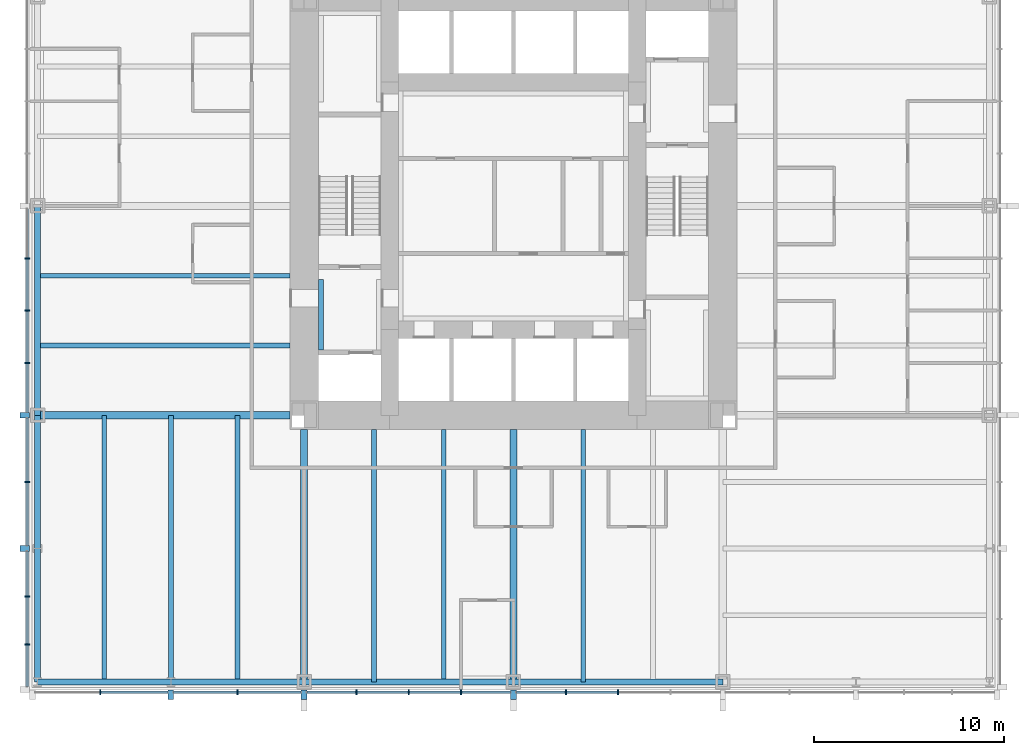
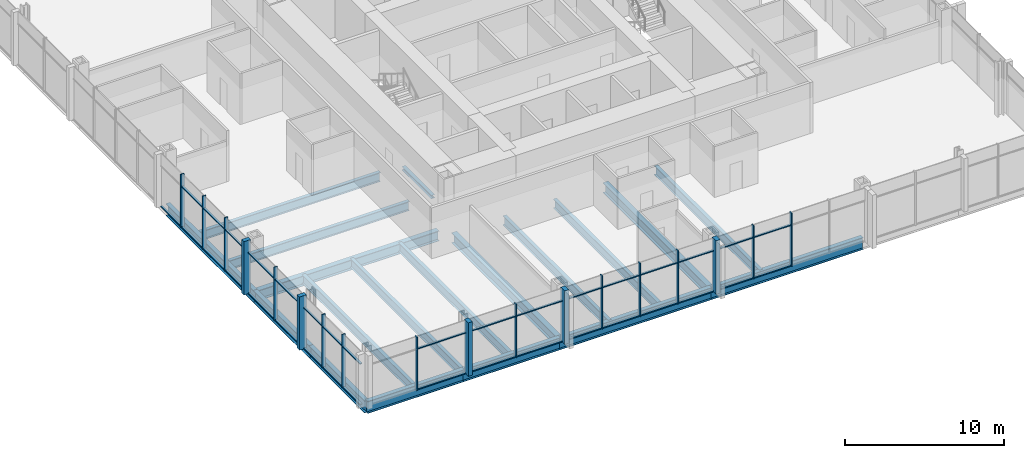
# One storey, part 2 of 12: 53 members, 19 beams, 2 elements without a shape of their own.
"""IFC4 building model written with IfcOpenShell, lengths in metres."""

from ifc_helpers import new_model, si_unit, direction, frame, origin, origin_2d, place, context, subcontext, project, spatial, rectangle, i_section, extrude, material, material_profile, profile_set, type_object, element, aggregate, save


model = new_model("IFC4")

# Units and contexts
model_context = context("Model", 3, precision=1e-05, world=origin(), true_north=direction((0.0, 1.0)))
body_context = subcontext(model_context, "Body", "Model", "MODEL_VIEW")
ifc_project = project(units=[si_unit("LENGTHUNIT", "METRE"), si_unit("AREAUNIT", "SQUARE_METRE"), si_unit("VOLUMEUNIT", "CUBIC_METRE"), si_unit("PLANEANGLEUNIT", "RADIAN"), si_unit("MASSUNIT", "GRAM", prefix="KILO")], contexts=[model_context])

# Site, building, storey
site_placement = place(None, origin())
site = spatial("IfcSite", under=ifc_project, at=site_placement, CompositionType="ELEMENT")
building_placement = place(site_placement, origin())
building = spatial("IfcBuilding", under=site, at=building_placement, Name="Trevanion Tower", CompositionType="ELEMENT")
storey_placement = place(building_placement, frame((0.0, 0.0, 40.60009765625)))
storey = spatial("IfcBuildingStorey", under=building, at=storey_placement, Name="L09", CompositionType="ELEMENT", Elevation=40.60009765625)

# Beams
ifc_material_1 = material(Name="Steel ASTM A992 Grade 50", Category="steel")
ifc_material_profile_1 = material_profile(ifc_material_1, i_section(OverallWidth=0.25390625, OverallDepth=0.700927734375, WebThickness=0.015380859375, FlangeThickness=0.02783203125, at=origin_2d()), Name="W27X129")
ifc_profile_set_1 = profile_set([ifc_material_profile_1], Name="Steel ASTM A992 Grade 50")
beam_type_1 = type_object("IfcBeamType", Name="B3 W27X129", PredefinedType="BEAM", material=ifc_profile_set_1)
for number, where, z_axis, x_axis, name in (
    (1, (-11.75, -3.666748046875, -0.54052734375), (-1.0, 0.0, 0.0), (0.0, -1.0, 0.0), "B3 L09"),
    (2, (-11.75, -7.333251953125, -0.54052734375), (-1.0, 0.0, 0.0), (0.0, -1.0, 0.0), "B3 L09"),
    (3, (-7.333251953125, -11.75, -0.54052734375), (0.0, -1.0, 0.0), (1.0, 0.0, 0.0), "B3 L09"),
    (4, (-3.666748046875, -11.75, -0.54052734375), (0.0, -1.0, 0.0), (1.0, 0.0, 0.0), "B3 L09"),
    (5, (3.666748046875, -11.75, -0.54052734375), (0.0, -1.0, 0.0), (1.0, 0.0, 0.0), "B3 L09"),
):
    element("IfcBeam", number, at=place(storey_placement, frame(where, z_axis=z_axis, x_axis=x_axis)), inside=storey, type_object=beam_type_1, Name=name, PredefinedType="BEAM", context=body_context, shape_type="SweptSolid", body=[
        extrude(i_section(OverallWidth=0.25390625, OverallDepth=0.700927734375, WebThickness=0.015380859375, FlangeThickness=0.02783203125, at=origin_2d()), origin(), (0.0, 0.0, 1.0), 13.25),
    ])
ifc_material_2 = material(Name="Steel ASTM A992 Grade 50", Category="steel")
ifc_material_profile_2 = material_profile(ifc_material_2, i_section(OverallWidth=0.256591796875, OverallDepth=0.693359375, WebThickness=0.014404296875, FlangeThickness=0.023681640625, at=origin_2d()), Name="W27X114")
ifc_profile_set_2 = profile_set([ifc_material_profile_2], Name="Steel ASTM A992 Grade 50")
beam_type_2 = type_object("IfcBeamType", Name="B4 W27X114", PredefinedType="BEAM", material=ifc_profile_set_2)
for number, where, z_axis, x_axis, name in (
    (6, (-14.5, -11.0, -0.536865234375), (0.0, -1.0, 0.0), (1.0, 0.0, 0.0), "B4 L09"),
    (7, (-18.0, -11.0, -0.536865234375), (0.0, -1.0, 0.0), (1.0, 0.0, 0.0), "B4 L09"),
    (8, (-21.5, -11.0, -0.536865234375), (0.0, -1.0, 0.0), (1.0, 0.0, 0.0), "B4 L09"),
):
    element("IfcBeam", number, at=place(storey_placement, frame(where, z_axis=z_axis, x_axis=x_axis)), inside=storey, type_object=beam_type_2, Name=name, PredefinedType="BEAM", context=body_context, shape_type="SweptSolid", body=[
        extrude(i_section(OverallWidth=0.256591796875, OverallDepth=0.693359375, WebThickness=0.014404296875, FlangeThickness=0.023681640625, at=origin_2d()), origin(), (0.0, 0.0, 1.0), 14.0),
    ])

# Curtain wall, members
ifc_material_3 = material(Name="Aluminium and glass", Category="aluminium")
curtain_wall_type = type_object("IfcCurtainWallType", Name="CW1 curtain wall", PredefinedType="USERDEFINED", material=ifc_material_3)
curtain_wall_1_placement = place(storey_placement, origin())
curtain_wall_1 = element("IfcCurtainWall", 9, at=curtain_wall_1_placement, inside=storey, type_object=curtain_wall_type, Name="CW1 L09 2", ObjectType="UNITISED CURTAIN WALL", PredefinedType="USERDEFINED")
ifc_material_4 = material(Name="Aluminium extrusion, anodised bronze", Category="aluminium")
ifc_material_profile_3 = material_profile(ifc_material_4, rectangle(XDim=0.074951171875, YDim=0.25, at=origin_2d()), Name="CW1 mullion")
ifc_profile_set_3 = profile_set([ifc_material_profile_3], Name="Aluminium extrusion, anodised bronze")
member_type_1 = type_object("IfcMemberType", Name="CW1 mullion", PredefinedType="MULLION", material=ifc_profile_set_3)
member_1_placement = place(storey_placement, frame((-25.550048828125, -2.75, -0.190185546875), z_axis=(0.0, 0.0, 1.0), x_axis=(0.0, -1.0, 0.0)))
member_1 = element("IfcMember", 10, at=member_1_placement, type_object=member_type_1, Name="CW1 mullion 10", PredefinedType="MULLION", context=body_context, shape_type="SweptSolid", body=[
    extrude(rectangle(XDim=0.074951171875, YDim=0.25, at=origin_2d()), origin(), (0.0, 0.0, 1.0), 4.10009765625),
])
member_2_placement = place(storey_placement, frame((-25.550048828125, -5.5, -0.190185546875), z_axis=(0.0, 0.0, 1.0), x_axis=(0.0, -1.0, 0.0)))
member_2 = element("IfcMember", 11, at=member_2_placement, type_object=member_type_1, Name="CW1 mullion 11", PredefinedType="MULLION", context=body_context, shape_type="SweptSolid", body=[
    extrude(rectangle(XDim=0.074951171875, YDim=0.25, at=origin_2d()), origin(), (0.0, 0.0, 1.0), 4.10009765625),
])
member_3_placement = place(storey_placement, frame((-25.550048828125, -8.25, -0.190185546875), z_axis=(0.0, 0.0, 1.0), x_axis=(0.0, -1.0, 0.0)))
member_3 = element("IfcMember", 12, at=member_3_placement, type_object=member_type_1, Name="CW1 mullion 12", PredefinedType="MULLION", context=body_context, shape_type="SweptSolid", body=[
    extrude(rectangle(XDim=0.074951171875, YDim=0.25, at=origin_2d()), origin(), (0.0, 0.0, 1.0), 4.10009765625),
])
member_4_placement = place(storey_placement, frame((-25.550048828125, -14.5, -0.190185546875), z_axis=(0.0, 0.0, 1.0), x_axis=(0.0, -1.0, 0.0)))
member_4 = element("IfcMember", 13, at=member_4_placement, type_object=member_type_1, Name="CW1 mullion 14", PredefinedType="MULLION", context=body_context, shape_type="SweptSolid", body=[
    extrude(rectangle(XDim=0.074951171875, YDim=0.25, at=origin_2d()), origin(), (0.0, 0.0, 1.0), 4.10009765625),
])
member_5_placement = place(storey_placement, frame((-25.550048828125, -20.5166015625, -0.190185546875), z_axis=(0.0, 0.0, 1.0), x_axis=(0.0, -1.0, 0.0)))
member_5 = element("IfcMember", 14, at=member_5_placement, type_object=member_type_1, Name="CW1 mullion 16", PredefinedType="MULLION", context=body_context, shape_type="SweptSolid", body=[
    extrude(rectangle(XDim=0.074951171875, YDim=0.25, at=origin_2d()), origin(), (0.0, 0.0, 1.0), 4.10009765625),
])
member_6_placement = place(storey_placement, frame((-25.550048828125, -23.033203125, -0.190185546875), z_axis=(0.0, 0.0, 1.0), x_axis=(0.0, -1.0, 0.0)))
member_6 = element("IfcMember", 15, at=member_6_placement, type_object=member_type_1, Name="CW1 mullion 17", PredefinedType="MULLION", context=body_context, shape_type="SweptSolid", body=[
    extrude(rectangle(XDim=0.074951171875, YDim=0.25, at=origin_2d()), origin(), (0.0, 0.0, 1.0), 4.10009765625),
])

curtain_wall_2_placement = place(storey_placement, origin())
curtain_wall_2 = element("IfcCurtainWall", 16, at=curtain_wall_2_placement, inside=storey, type_object=curtain_wall_type, Name="CW1 L09 3", ObjectType="UNITISED CURTAIN WALL", PredefinedType="USERDEFINED")
member_7_placement = place(storey_placement, frame((-21.7099609375, -25.550048828125, -0.190185546875), z_axis=(0.0, 0.0, 1.0), x_axis=(1.0, 0.0, 0.0)))
member_7 = element("IfcMember", 17, at=member_7_placement, type_object=member_type_1, Name="CW1 mullion 2", PredefinedType="MULLION", context=body_context, shape_type="SweptSolid", body=[
    extrude(rectangle(XDim=0.074951171875, YDim=0.25, at=origin_2d()), origin(), (0.0, 0.0, 1.0), 4.10009765625),
])
member_8_placement = place(storey_placement, frame((-14.5, -25.550048828125, -0.190185546875), z_axis=(0.0, 0.0, 1.0), x_axis=(1.0, 0.0, 0.0)))
member_8 = element("IfcMember", 18, at=member_8_placement, type_object=member_type_1, Name="CW1 mullion 4", PredefinedType="MULLION", context=body_context, shape_type="SweptSolid", body=[
    extrude(rectangle(XDim=0.074951171875, YDim=0.25, at=origin_2d()), origin(), (0.0, 0.0, 1.0), 4.10009765625),
])
member_9_placement = place(storey_placement, frame((-8.25, -25.550048828125, -0.190185546875), z_axis=(0.0, 0.0, 1.0), x_axis=(1.0, 0.0, 0.0)))
member_9 = element("IfcMember", 19, at=member_9_placement, type_object=member_type_1, Name="CW1 mullion 6", PredefinedType="MULLION", context=body_context, shape_type="SweptSolid", body=[
    extrude(rectangle(XDim=0.074951171875, YDim=0.25, at=origin_2d()), origin(), (0.0, 0.0, 1.0), 4.10009765625),
])
member_10_placement = place(storey_placement, frame((-5.5, -25.550048828125, -0.190185546875), z_axis=(0.0, 0.0, 1.0), x_axis=(1.0, 0.0, 0.0)))
member_10 = element("IfcMember", 20, at=member_10_placement, type_object=member_type_1, Name="CW1 mullion 7", PredefinedType="MULLION", context=body_context, shape_type="SweptSolid", body=[
    extrude(rectangle(XDim=0.074951171875, YDim=0.25, at=origin_2d()), origin(), (0.0, 0.0, 1.0), 4.10009765625),
])
member_11_placement = place(storey_placement, frame((-2.75, -25.550048828125, -0.190185546875), z_axis=(0.0, 0.0, 1.0), x_axis=(1.0, 0.0, 0.0)))
member_11 = element("IfcMember", 21, at=member_11_placement, type_object=member_type_1, Name="CW1 mullion 8", PredefinedType="MULLION", context=body_context, shape_type="SweptSolid", body=[
    extrude(rectangle(XDim=0.074951171875, YDim=0.25, at=origin_2d()), origin(), (0.0, 0.0, 1.0), 4.10009765625),
])
member_12_placement = place(storey_placement, frame((2.75, -25.550048828125, -0.190185546875), z_axis=(0.0, 0.0, 1.0), x_axis=(1.0, 0.0, 0.0)))
member_12 = element("IfcMember", 22, at=member_12_placement, type_object=member_type_1, Name="CW1 mullion 10", PredefinedType="MULLION", context=body_context, shape_type="SweptSolid", body=[
    extrude(rectangle(XDim=0.074951171875, YDim=0.25, at=origin_2d()), origin(), (0.0, 0.0, 1.0), 4.10009765625),
])
member_13_placement = place(storey_placement, frame((5.5, -25.550048828125, -0.190185546875), z_axis=(0.0, 0.0, 1.0), x_axis=(1.0, 0.0, 0.0)))
member_13 = element("IfcMember", 23, at=member_13_placement, type_object=member_type_1, Name="CW1 mullion 11", PredefinedType="MULLION", context=body_context, shape_type="SweptSolid", body=[
    extrude(rectangle(XDim=0.074951171875, YDim=0.25, at=origin_2d()), origin(), (0.0, 0.0, 1.0), 4.10009765625),
])

# Member
ifc_material_5 = material(Name="Aluminium extrusion, anodised bronze", Category="aluminium")
ifc_material_profile_4 = material_profile(ifc_material_5, rectangle(XDim=0.300048828125, YDim=0.5, at=origin_2d()), Name="CW1 pier mullion")
ifc_profile_set_4 = profile_set([ifc_material_profile_4], Name="Aluminium extrusion, anodised bronze")
member_type_2 = type_object("IfcMemberType", Name="CW1 pier mullion", PredefinedType="MULLION", material=ifc_profile_set_4)
member_14_placement = place(storey_placement, frame((-25.675048828125, -11.0, -0.190185546875), z_axis=(0.0, 0.0, 1.0), x_axis=(0.0, -1.0, 0.0)))
member_14 = element("IfcMember", 24, at=member_14_placement, type_object=member_type_2, Name="CW1 pier mullion 13", PredefinedType="MULLION", context=body_context, shape_type="SweptSolid", body=[
    extrude(rectangle(XDim=0.300048828125, YDim=0.5, at=origin_2d()), origin(), (0.0, 0.0, 1.0), 4.10009765625),
])

member_15_placement = place(storey_placement, frame((-25.675048828125, -18.0, -0.190185546875), z_axis=(0.0, 0.0, 1.0), x_axis=(0.0, -1.0, 0.0)))
member_15 = element("IfcMember", 25, at=member_15_placement, type_object=member_type_2, Name="CW1 pier mullion 15", PredefinedType="MULLION", context=body_context, shape_type="SweptSolid", body=[
    extrude(rectangle(XDim=0.300048828125, YDim=0.5, at=origin_2d()), origin(), (0.0, 0.0, 1.0), 4.10009765625),
])

member_16_placement = place(storey_placement, frame((-18.0, -25.675048828125, -0.190185546875), z_axis=(0.0, 0.0, 1.0), x_axis=(1.0, 0.0, 0.0)))
member_16 = element("IfcMember", 26, at=member_16_placement, type_object=member_type_2, Name="CW1 pier mullion 3", PredefinedType="MULLION", context=body_context, shape_type="SweptSolid", body=[
    extrude(rectangle(XDim=0.300048828125, YDim=0.5, at=origin_2d()), origin(), (0.0, 0.0, 1.0), 4.10009765625),
])

member_17_placement = place(storey_placement, frame((-11.0, -25.675048828125, -0.190185546875), z_axis=(0.0, 0.0, 1.0), x_axis=(1.0, 0.0, 0.0)))
member_17 = element("IfcMember", 27, at=member_17_placement, type_object=member_type_2, Name="CW1 pier mullion 5", PredefinedType="MULLION", context=body_context, shape_type="SweptSolid", body=[
    extrude(rectangle(XDim=0.300048828125, YDim=0.5, at=origin_2d()), origin(), (0.0, 0.0, 1.0), 4.10009765625),
])

member_18_placement = place(storey_placement, frame((0.0, -25.675048828125, -0.190185546875), z_axis=(0.0, 0.0, 1.0), x_axis=(1.0, 0.0, 0.0)))
member_18 = element("IfcMember", 28, at=member_18_placement, type_object=member_type_2, Name="CW1 pier mullion 9", PredefinedType="MULLION", context=body_context, shape_type="SweptSolid", body=[
    extrude(rectangle(XDim=0.300048828125, YDim=0.5, at=origin_2d()), origin(), (0.0, 0.0, 1.0), 4.10009765625),
])

ifc_material_6 = material(Name="Aluminium extrusion, anodised bronze", Category="aluminium")
ifc_material_profile_5 = material_profile(ifc_material_6, rectangle(XDim=0.14990234375, YDim=0.074951171875, at=origin_2d()), Name="CW1 transom")
ifc_profile_set_5 = profile_set([ifc_material_profile_5], Name="Aluminium extrusion, anodised bronze")
member_type_3 = type_object("IfcMemberType", Name="CW1 transom", PredefinedType="USERDEFINED", material=ifc_profile_set_5)
member_19_placement = place(storey_placement, frame((-25.550048828125, -0.14990234375, -0.152587890625), z_axis=(0.0, -1.0, 0.0), x_axis=(1.0, 0.0, 0.0)))
member_19 = element("IfcMember", 29, at=member_19_placement, type_object=member_type_3, Name="CW1 transom 9.1", ObjectType="TRANSOM", PredefinedType="USERDEFINED", context=body_context, shape_type="SweptSolid", body=[
    extrude(rectangle(XDim=0.14990234375, YDim=0.074951171875, at=origin_2d()), origin(), (0.0, 0.0, 1.0), 2.5625),
])

member_20_placement = place(storey_placement, frame((-25.550048828125, -2.78759765625, -0.152587890625), z_axis=(0.0, -1.0, 0.0), x_axis=(1.0, 0.0, 0.0)))
member_20 = element("IfcMember", 30, at=member_20_placement, type_object=member_type_3, Name="CW1 transom 10.1", ObjectType="TRANSOM", PredefinedType="USERDEFINED", context=body_context, shape_type="SweptSolid", body=[
    extrude(rectangle(XDim=0.14990234375, YDim=0.074951171875, at=origin_2d()), origin(), (0.0, 0.0, 1.0), 2.6748046875),
])

member_21_placement = place(storey_placement, frame((-25.550048828125, -2.78759765625, 2.9599609375), z_axis=(0.0, -1.0, 0.0), x_axis=(1.0, 0.0, 0.0)))
member_21 = element("IfcMember", 31, at=member_21_placement, type_object=member_type_3, Name="CW1 transom 10.2", ObjectType="TRANSOM", PredefinedType="USERDEFINED", context=body_context, shape_type="SweptSolid", body=[
    extrude(rectangle(XDim=0.14990234375, YDim=0.074951171875, at=origin_2d()), origin(), (0.0, 0.0, 1.0), 2.6748046875),
])

member_22_placement = place(storey_placement, frame((-25.550048828125, -5.53759765625, -0.152587890625), z_axis=(0.0, -1.0, 0.0), x_axis=(1.0, 0.0, 0.0)))
member_22 = element("IfcMember", 32, at=member_22_placement, type_object=member_type_3, Name="CW1 transom 11.1", ObjectType="TRANSOM", PredefinedType="USERDEFINED", context=body_context, shape_type="SweptSolid", body=[
    extrude(rectangle(XDim=0.14990234375, YDim=0.074951171875, at=origin_2d()), origin(), (0.0, 0.0, 1.0), 2.6748046875),
])

member_23_placement = place(storey_placement, frame((-25.550048828125, -5.53759765625, 2.9599609375), z_axis=(0.0, -1.0, 0.0), x_axis=(1.0, 0.0, 0.0)))
member_23 = element("IfcMember", 33, at=member_23_placement, type_object=member_type_3, Name="CW1 transom 11.2", ObjectType="TRANSOM", PredefinedType="USERDEFINED", context=body_context, shape_type="SweptSolid", body=[
    extrude(rectangle(XDim=0.14990234375, YDim=0.074951171875, at=origin_2d()), origin(), (0.0, 0.0, 1.0), 2.6748046875),
])

member_24_placement = place(storey_placement, frame((-25.550048828125, -8.28759765625, -0.152587890625), z_axis=(0.0, -1.0, 0.0), x_axis=(1.0, 0.0, 0.0)))
member_24 = element("IfcMember", 34, at=member_24_placement, type_object=member_type_3, Name="CW1 transom 12.1", ObjectType="TRANSOM", PredefinedType="USERDEFINED", context=body_context, shape_type="SweptSolid", body=[
    extrude(rectangle(XDim=0.14990234375, YDim=0.074951171875, at=origin_2d()), origin(), (0.0, 0.0, 1.0), 2.5625),
])

member_25_placement = place(storey_placement, frame((-25.550048828125, -8.28759765625, 2.9599609375), z_axis=(0.0, -1.0, 0.0), x_axis=(1.0, 0.0, 0.0)))
member_25 = element("IfcMember", 35, at=member_25_placement, type_object=member_type_3, Name="CW1 transom 12.2", ObjectType="TRANSOM", PredefinedType="USERDEFINED", context=body_context, shape_type="SweptSolid", body=[
    extrude(rectangle(XDim=0.14990234375, YDim=0.074951171875, at=origin_2d()), origin(), (0.0, 0.0, 1.0), 2.5625),
])

member_26_placement = place(storey_placement, frame((-25.550048828125, -11.14990234375, -0.152587890625), z_axis=(0.0, -1.0, 0.0), x_axis=(1.0, 0.0, 0.0)))
member_26 = element("IfcMember", 36, at=member_26_placement, type_object=member_type_3, Name="CW1 transom 13.1", ObjectType="TRANSOM", PredefinedType="USERDEFINED", context=body_context, shape_type="SweptSolid", body=[
    extrude(rectangle(XDim=0.14990234375, YDim=0.074951171875, at=origin_2d()), origin(), (0.0, 0.0, 1.0), 3.3125),
])

member_27_placement = place(storey_placement, frame((-25.550048828125, -11.14990234375, 2.9599609375), z_axis=(0.0, -1.0, 0.0), x_axis=(1.0, 0.0, 0.0)))
member_27 = element("IfcMember", 37, at=member_27_placement, type_object=member_type_3, Name="CW1 transom 13.2", ObjectType="TRANSOM", PredefinedType="USERDEFINED", context=body_context, shape_type="SweptSolid", body=[
    extrude(rectangle(XDim=0.14990234375, YDim=0.074951171875, at=origin_2d()), origin(), (0.0, 0.0, 1.0), 3.3125),
])

member_28_placement = place(storey_placement, frame((-25.550048828125, -14.53759765625, -0.152587890625), z_axis=(0.0, -1.0, 0.0), x_axis=(1.0, 0.0, 0.0)))
member_28 = element("IfcMember", 38, at=member_28_placement, type_object=member_type_3, Name="CW1 transom 14.1", ObjectType="TRANSOM", PredefinedType="USERDEFINED", context=body_context, shape_type="SweptSolid", body=[
    extrude(rectangle(XDim=0.14990234375, YDim=0.074951171875, at=origin_2d()), origin(), (0.0, 0.0, 1.0), 3.3125),
])

member_29_placement = place(storey_placement, frame((-25.550048828125, -14.53759765625, 2.9599609375), z_axis=(0.0, -1.0, 0.0), x_axis=(1.0, 0.0, 0.0)))
member_29 = element("IfcMember", 39, at=member_29_placement, type_object=member_type_3, Name="CW1 transom 14.2", ObjectType="TRANSOM", PredefinedType="USERDEFINED", context=body_context, shape_type="SweptSolid", body=[
    extrude(rectangle(XDim=0.14990234375, YDim=0.074951171875, at=origin_2d()), origin(), (0.0, 0.0, 1.0), 3.3125),
])

member_30_placement = place(storey_placement, frame((-25.550048828125, -18.14990234375, -0.152587890625), z_axis=(0.0, -1.0, 0.0), x_axis=(1.0, 0.0, 0.0)))
member_30 = element("IfcMember", 40, at=member_30_placement, type_object=member_type_3, Name="CW1 transom 15.1", ObjectType="TRANSOM", PredefinedType="USERDEFINED", context=body_context, shape_type="SweptSolid", body=[
    extrude(rectangle(XDim=0.14990234375, YDim=0.074951171875, at=origin_2d()), origin(), (0.0, 0.0, 1.0), 2.329345703125),
])

member_31_placement = place(storey_placement, frame((-25.550048828125, -18.14990234375, 2.9599609375), z_axis=(0.0, -1.0, 0.0), x_axis=(1.0, 0.0, 0.0)))
member_31 = element("IfcMember", 41, at=member_31_placement, type_object=member_type_3, Name="CW1 transom 15.2", ObjectType="TRANSOM", PredefinedType="USERDEFINED", context=body_context, shape_type="SweptSolid", body=[
    extrude(rectangle(XDim=0.14990234375, YDim=0.074951171875, at=origin_2d()), origin(), (0.0, 0.0, 1.0), 2.329345703125),
])

member_32_placement = place(storey_placement, frame((-25.550048828125, -20.55419921875, -0.152587890625), z_axis=(0.0, -1.0, 0.0), x_axis=(1.0, 0.0, 0.0)))
member_32 = element("IfcMember", 42, at=member_32_placement, type_object=member_type_3, Name="CW1 transom 16.1", ObjectType="TRANSOM", PredefinedType="USERDEFINED", context=body_context, shape_type="SweptSolid", body=[
    extrude(rectangle(XDim=0.14990234375, YDim=0.074951171875, at=origin_2d()), origin(), (0.0, 0.0, 1.0), 2.441650390625),
])

member_33_placement = place(storey_placement, frame((-25.550048828125, -20.55419921875, 2.9599609375), z_axis=(0.0, -1.0, 0.0), x_axis=(1.0, 0.0, 0.0)))
member_33 = element("IfcMember", 43, at=member_33_placement, type_object=member_type_3, Name="CW1 transom 16.2", ObjectType="TRANSOM", PredefinedType="USERDEFINED", context=body_context, shape_type="SweptSolid", body=[
    extrude(rectangle(XDim=0.14990234375, YDim=0.074951171875, at=origin_2d()), origin(), (0.0, 0.0, 1.0), 2.441650390625),
])

member_34_placement = place(storey_placement, frame((-25.550048828125, -23.07080078125, -0.152587890625), z_axis=(0.0, -1.0, 0.0), x_axis=(1.0, 0.0, 0.0)))
member_34 = element("IfcMember", 44, at=member_34_placement, type_object=member_type_3, Name="CW1 transom 17.1", ObjectType="TRANSOM", PredefinedType="USERDEFINED", context=body_context, shape_type="SweptSolid", body=[
    extrude(rectangle(XDim=0.14990234375, YDim=0.074951171875, at=origin_2d()), origin(), (0.0, 0.0, 1.0), 2.17919921875),
])

member_35_placement = place(storey_placement, frame((-25.550048828125, -23.07080078125, 2.9599609375), z_axis=(0.0, -1.0, 0.0), x_axis=(1.0, 0.0, 0.0)))
member_35 = element("IfcMember", 45, at=member_35_placement, type_object=member_type_3, Name="CW1 transom 17.2", ObjectType="TRANSOM", PredefinedType="USERDEFINED", context=body_context, shape_type="SweptSolid", body=[
    extrude(rectangle(XDim=0.14990234375, YDim=0.074951171875, at=origin_2d()), origin(), (0.0, 0.0, 1.0), 2.17919921875),
])

aggregate(curtain_wall_1, [member_1, member_2, member_3, member_14, member_4, member_15, member_5, member_6, member_19, member_20, member_21, member_22, member_23, member_24, member_25, member_26, member_27, member_28, member_29, member_30, member_31, member_32, member_33, member_34, member_35])

member_36_placement = place(storey_placement, frame((-21.672607421875, -25.550048828125, -0.152587890625), z_axis=(1.0, 0.0, 0.0), x_axis=(0.0, 1.0, 0.0)))
member_36 = element("IfcMember", 46, at=member_36_placement, type_object=member_type_3, Name="CW1 transom 2.1", ObjectType="TRANSOM", PredefinedType="USERDEFINED", context=body_context, shape_type="SweptSolid", body=[
    extrude(rectangle(XDim=0.14990234375, YDim=0.074951171875, at=origin_2d()), origin(), (0.0, 0.0, 1.0), 3.522705078125),
])

member_37_placement = place(storey_placement, frame((-21.672607421875, -25.550048828125, 2.9599609375), z_axis=(1.0, 0.0, 0.0), x_axis=(0.0, 1.0, 0.0)))
member_37 = element("IfcMember", 47, at=member_37_placement, type_object=member_type_3, Name="CW1 transom 2.2", ObjectType="TRANSOM", PredefinedType="USERDEFINED", context=body_context, shape_type="SweptSolid", body=[
    extrude(rectangle(XDim=0.14990234375, YDim=0.074951171875, at=origin_2d()), origin(), (0.0, 0.0, 1.0), 3.522705078125),
])

member_38_placement = place(storey_placement, frame((-17.85009765625, -25.550048828125, -0.152587890625), z_axis=(1.0, 0.0, 0.0), x_axis=(0.0, 1.0, 0.0)))
member_38 = element("IfcMember", 48, at=member_38_placement, type_object=member_type_3, Name="CW1 transom 3.1", ObjectType="TRANSOM", PredefinedType="USERDEFINED", context=body_context, shape_type="SweptSolid", body=[
    extrude(rectangle(XDim=0.14990234375, YDim=0.074951171875, at=origin_2d()), origin(), (0.0, 0.0, 1.0), 3.3125),
])

member_39_placement = place(storey_placement, frame((-17.85009765625, -25.550048828125, 2.9599609375), z_axis=(1.0, 0.0, 0.0), x_axis=(0.0, 1.0, 0.0)))
member_39 = element("IfcMember", 49, at=member_39_placement, type_object=member_type_3, Name="CW1 transom 3.2", ObjectType="TRANSOM", PredefinedType="USERDEFINED", context=body_context, shape_type="SweptSolid", body=[
    extrude(rectangle(XDim=0.14990234375, YDim=0.074951171875, at=origin_2d()), origin(), (0.0, 0.0, 1.0), 3.3125),
])

member_40_placement = place(storey_placement, frame((-14.46240234375, -25.550048828125, -0.152587890625), z_axis=(1.0, 0.0, 0.0), x_axis=(0.0, 1.0, 0.0)))
member_40 = element("IfcMember", 50, at=member_40_placement, type_object=member_type_3, Name="CW1 transom 4.1", ObjectType="TRANSOM", PredefinedType="USERDEFINED", context=body_context, shape_type="SweptSolid", body=[
    extrude(rectangle(XDim=0.14990234375, YDim=0.074951171875, at=origin_2d()), origin(), (0.0, 0.0, 1.0), 3.3125),
])

member_41_placement = place(storey_placement, frame((-14.46240234375, -25.550048828125, 2.9599609375), z_axis=(1.0, 0.0, 0.0), x_axis=(0.0, 1.0, 0.0)))
member_41 = element("IfcMember", 51, at=member_41_placement, type_object=member_type_3, Name="CW1 transom 4.2", ObjectType="TRANSOM", PredefinedType="USERDEFINED", context=body_context, shape_type="SweptSolid", body=[
    extrude(rectangle(XDim=0.14990234375, YDim=0.074951171875, at=origin_2d()), origin(), (0.0, 0.0, 1.0), 3.3125),
])

member_42_placement = place(storey_placement, frame((-10.85009765625, -25.550048828125, -0.152587890625), z_axis=(1.0, 0.0, 0.0), x_axis=(0.0, 1.0, 0.0)))
member_42 = element("IfcMember", 52, at=member_42_placement, type_object=member_type_3, Name="CW1 transom 5.1", ObjectType="TRANSOM", PredefinedType="USERDEFINED", context=body_context, shape_type="SweptSolid", body=[
    extrude(rectangle(XDim=0.14990234375, YDim=0.074951171875, at=origin_2d()), origin(), (0.0, 0.0, 1.0), 2.5625),
])

member_43_placement = place(storey_placement, frame((-10.85009765625, -25.550048828125, 2.9599609375), z_axis=(1.0, 0.0, 0.0), x_axis=(0.0, 1.0, 0.0)))
member_43 = element("IfcMember", 53, at=member_43_placement, type_object=member_type_3, Name="CW1 transom 5.2", ObjectType="TRANSOM", PredefinedType="USERDEFINED", context=body_context, shape_type="SweptSolid", body=[
    extrude(rectangle(XDim=0.14990234375, YDim=0.074951171875, at=origin_2d()), origin(), (0.0, 0.0, 1.0), 2.5625),
])

member_44_placement = place(storey_placement, frame((-8.21240234375, -25.550048828125, -0.152587890625), z_axis=(1.0, 0.0, 0.0), x_axis=(0.0, 1.0, 0.0)))
member_44 = element("IfcMember", 54, at=member_44_placement, type_object=member_type_3, Name="CW1 transom 6.1", ObjectType="TRANSOM", PredefinedType="USERDEFINED", context=body_context, shape_type="SweptSolid", body=[
    extrude(rectangle(XDim=0.14990234375, YDim=0.074951171875, at=origin_2d()), origin(), (0.0, 0.0, 1.0), 2.6748046875),
])

member_45_placement = place(storey_placement, frame((-8.21240234375, -25.550048828125, 2.9599609375), z_axis=(1.0, 0.0, 0.0), x_axis=(0.0, 1.0, 0.0)))
member_45 = element("IfcMember", 55, at=member_45_placement, type_object=member_type_3, Name="CW1 transom 6.2", ObjectType="TRANSOM", PredefinedType="USERDEFINED", context=body_context, shape_type="SweptSolid", body=[
    extrude(rectangle(XDim=0.14990234375, YDim=0.074951171875, at=origin_2d()), origin(), (0.0, 0.0, 1.0), 2.6748046875),
])

member_46_placement = place(storey_placement, frame((-5.46240234375, -25.550048828125, -0.152587890625), z_axis=(1.0, 0.0, 0.0), x_axis=(0.0, 1.0, 0.0)))
member_46 = element("IfcMember", 56, at=member_46_placement, type_object=member_type_3, Name="CW1 transom 7.1", ObjectType="TRANSOM", PredefinedType="USERDEFINED", context=body_context, shape_type="SweptSolid", body=[
    extrude(rectangle(XDim=0.14990234375, YDim=0.074951171875, at=origin_2d()), origin(), (0.0, 0.0, 1.0), 2.6748046875),
])

member_47_placement = place(storey_placement, frame((-5.46240234375, -25.550048828125, 2.9599609375), z_axis=(1.0, 0.0, 0.0), x_axis=(0.0, 1.0, 0.0)))
member_47 = element("IfcMember", 57, at=member_47_placement, type_object=member_type_3, Name="CW1 transom 7.2", ObjectType="TRANSOM", PredefinedType="USERDEFINED", context=body_context, shape_type="SweptSolid", body=[
    extrude(rectangle(XDim=0.14990234375, YDim=0.074951171875, at=origin_2d()), origin(), (0.0, 0.0, 1.0), 2.6748046875),
])

member_48_placement = place(storey_placement, frame((-2.71240234375, -25.550048828125, -0.152587890625), z_axis=(1.0, 0.0, 0.0), x_axis=(0.0, 1.0, 0.0)))
member_48 = element("IfcMember", 58, at=member_48_placement, type_object=member_type_3, Name="CW1 transom 8.1", ObjectType="TRANSOM", PredefinedType="USERDEFINED", context=body_context, shape_type="SweptSolid", body=[
    extrude(rectangle(XDim=0.14990234375, YDim=0.074951171875, at=origin_2d()), origin(), (0.0, 0.0, 1.0), 2.5625),
])

member_49_placement = place(storey_placement, frame((-2.71240234375, -25.550048828125, 2.9599609375), z_axis=(1.0, 0.0, 0.0), x_axis=(0.0, 1.0, 0.0)))
member_49 = element("IfcMember", 59, at=member_49_placement, type_object=member_type_3, Name="CW1 transom 8.2", ObjectType="TRANSOM", PredefinedType="USERDEFINED", context=body_context, shape_type="SweptSolid", body=[
    extrude(rectangle(XDim=0.14990234375, YDim=0.074951171875, at=origin_2d()), origin(), (0.0, 0.0, 1.0), 2.5625),
])

member_50_placement = place(storey_placement, frame((0.14990234375, -25.550048828125, -0.152587890625), z_axis=(1.0, 0.0, 0.0), x_axis=(0.0, 1.0, 0.0)))
member_50 = element("IfcMember", 60, at=member_50_placement, type_object=member_type_3, Name="CW1 transom 9.1", ObjectType="TRANSOM", PredefinedType="USERDEFINED", context=body_context, shape_type="SweptSolid", body=[
    extrude(rectangle(XDim=0.14990234375, YDim=0.074951171875, at=origin_2d()), origin(), (0.0, 0.0, 1.0), 2.5625),
])

member_51_placement = place(storey_placement, frame((0.14990234375, -25.550048828125, 2.9599609375), z_axis=(1.0, 0.0, 0.0), x_axis=(0.0, 1.0, 0.0)))
member_51 = element("IfcMember", 61, at=member_51_placement, type_object=member_type_3, Name="CW1 transom 9.2", ObjectType="TRANSOM", PredefinedType="USERDEFINED", context=body_context, shape_type="SweptSolid", body=[
    extrude(rectangle(XDim=0.14990234375, YDim=0.074951171875, at=origin_2d()), origin(), (0.0, 0.0, 1.0), 2.5625),
])

member_52_placement = place(storey_placement, frame((2.78759765625, -25.550048828125, -0.152587890625), z_axis=(1.0, 0.0, 0.0), x_axis=(0.0, 1.0, 0.0)))
member_52 = element("IfcMember", 62, at=member_52_placement, type_object=member_type_3, Name="CW1 transom 10.1", ObjectType="TRANSOM", PredefinedType="USERDEFINED", context=body_context, shape_type="SweptSolid", body=[
    extrude(rectangle(XDim=0.14990234375, YDim=0.074951171875, at=origin_2d()), origin(), (0.0, 0.0, 1.0), 2.6748046875),
])

member_53_placement = place(storey_placement, frame((2.78759765625, -25.550048828125, 2.9599609375), z_axis=(1.0, 0.0, 0.0), x_axis=(0.0, 1.0, 0.0)))
member_53 = element("IfcMember", 63, at=member_53_placement, type_object=member_type_3, Name="CW1 transom 10.2", ObjectType="TRANSOM", PredefinedType="USERDEFINED", context=body_context, shape_type="SweptSolid", body=[
    extrude(rectangle(XDim=0.14990234375, YDim=0.074951171875, at=origin_2d()), origin(), (0.0, 0.0, 1.0), 2.6748046875),
])

aggregate(curtain_wall_2, [member_7, member_16, member_8, member_17, member_9, member_10, member_11, member_18, member_12, member_13, member_36, member_37, member_38, member_39, member_40, member_41, member_42, member_43, member_44, member_45, member_46, member_47, member_48, member_49, member_50, member_51, member_52, member_53])

# Beams
ifc_material_7 = material(Name="Steel ASTM A992 Grade 50", Category="steel")
ifc_material_profile_6 = material_profile(ifc_material_7, i_section(OverallWidth=0.381103515625, OverallDepth=0.77978515625, WebThickness=0.01806640625, FlangeThickness=0.0302734375, at=origin_2d()), Name="W30X191")
ifc_profile_set_6 = profile_set([ifc_material_profile_6], Name="Steel ASTM A992 Grade 50")
beam_type_3 = type_object("IfcBeamType", Name="G2 W30X191", PredefinedType="BEAM", material=ifc_profile_set_6)
for number, where, z_axis, x_axis, name in (
    (64, (-11.75, -11.0, -0.580078125), (-1.0, 0.0, 0.0), (0.0, -1.0, 0.0), "G2 L09"),
    (65, (-11.0, -11.75, -0.580078125), (0.0, -1.0, 0.0), (1.0, 0.0, 0.0), "G2 L09"),
    (66, (0.0, -11.75, -0.580078125), (0.0, -1.0, 0.0), (1.0, 0.0, 0.0), "G2 L09"),
):
    element("IfcBeam", number, at=place(storey_placement, frame(where, z_axis=z_axis, x_axis=x_axis)), inside=storey, type_object=beam_type_3, Name=name, PredefinedType="BEAM", context=body_context, shape_type="SweptSolid", body=[
        extrude(i_section(OverallWidth=0.381103515625, OverallDepth=0.77978515625, WebThickness=0.01806640625, FlangeThickness=0.0302734375, at=origin_2d()), origin(), (0.0, 0.0, 1.0), 13.25),
    ])
ifc_material_8 = material(Name="Steel ASTM A992 Grade 50", Category="steel")
ifc_material_profile_7 = material_profile(ifc_material_8, i_section(OverallWidth=0.256591796875, OverallDepth=0.26416015625, WebThickness=0.011962890625, FlangeThickness=0.01953125, at=origin_2d()), Name="W10X68")
ifc_profile_set_7 = profile_set([ifc_material_profile_7], Name="Steel ASTM A992 Grade 50")
beam_type_4 = type_object("IfcBeamType", Name="LB1 W10X68", PredefinedType="BEAM", material=ifc_profile_set_7)
beam_1_placement = place(storey_placement, frame((-10.12158203125, -7.574951171875, -0.332275390625), z_axis=(0.0, 1.0, 0.0), x_axis=(-1.0, 0.0, 0.0)))
element("IfcBeam", 67, at=beam_1_placement, inside=storey, type_object=beam_type_4, Name="LB1 L09", PredefinedType="BEAM", context=body_context, shape_type="SweptSolid", body=[
    extrude(i_section(OverallWidth=0.256591796875, OverallDepth=0.26416015625, WebThickness=0.011962890625, FlangeThickness=0.01953125, at=origin_2d()), origin(), (0.0, 0.0, 1.0), 3.699951171875),
])
ifc_material_9 = material(Name="Steel ASTM A992 Grade 50", Category="steel")
ifc_material_profile_8 = material_profile(ifc_material_9, i_section(OverallWidth=0.307373046875, OverallDepth=0.927001953125, WebThickness=0.01953125, FlangeThickness=0.031982421875, at=origin_2d()), Name="W36X194")
ifc_profile_set_8 = profile_set([ifc_material_profile_8], Name="Steel ASTM A992 Grade 50")
beam_type_5 = type_object("IfcBeamType", Name="SB2 W36X194", PredefinedType="SPANDREL", material=ifc_profile_set_8)
beam_2_placement = place(storey_placement, frame((-25.0, 0.0, -0.653564453125), z_axis=(0.0, -1.0, 0.0), x_axis=(1.0, 0.0, 0.0)))
element("IfcBeam", 68, at=beam_2_placement, inside=storey, type_object=beam_type_5, Name="SB2 L09", PredefinedType="SPANDREL", context=body_context, shape_type="SweptSolid", body=[
    extrude(i_section(OverallWidth=0.307373046875, OverallDepth=0.927001953125, WebThickness=0.01953125, FlangeThickness=0.031982421875, at=origin_2d()), origin(), (0.0, 0.0, 1.0), 11.0),
])
for number, where, z_axis, x_axis, name in (
    (69, (-25.0, -11.0, -0.653564453125), (0.0, -1.0, 0.0), (1.0, 0.0, 0.0), "SB2 L09"),
    (70, (-25.0, -18.0, -0.653564453125), (0.0, -1.0, 0.0), (1.0, 0.0, 0.0), "SB2 L09"),
    (71, (-25.0, -25.0, -0.653564453125), (1.0, 0.0, 0.0), (0.0, 1.0, 0.0), "SB2 L09"),
    (72, (-18.0, -25.0, -0.653564453125), (1.0, 0.0, 0.0), (0.0, 1.0, 0.0), "SB2 L09"),
):
    element("IfcBeam", number, at=place(storey_placement, frame(where, z_axis=z_axis, x_axis=x_axis)), inside=storey, type_object=beam_type_5, Name=name, PredefinedType="SPANDREL", context=body_context, shape_type="SweptSolid", body=[
        extrude(i_section(OverallWidth=0.307373046875, OverallDepth=0.927001953125, WebThickness=0.01953125, FlangeThickness=0.031982421875, at=origin_2d()), origin(), (0.0, 0.0, 1.0), 7.0),
    ])
for number, where, z_axis, x_axis, name in (
    (73, (-11.0, -25.0, -0.653564453125), (1.0, 0.0, 0.0), (0.0, 1.0, 0.0), "SB2 L09"),
    (74, (0.0, -25.0, -0.653564453125), (1.0, 0.0, 0.0), (0.0, 1.0, 0.0), "SB2 L09"),
):
    element("IfcBeam", number, at=place(storey_placement, frame(where, z_axis=z_axis, x_axis=x_axis)), inside=storey, type_object=beam_type_5, Name=name, PredefinedType="SPANDREL", context=body_context, shape_type="SweptSolid", body=[
        extrude(i_section(OverallWidth=0.307373046875, OverallDepth=0.927001953125, WebThickness=0.01953125, FlangeThickness=0.031982421875, at=origin_2d()), origin(), (0.0, 0.0, 1.0), 11.0),
    ])

save(model, "model.ifc")
